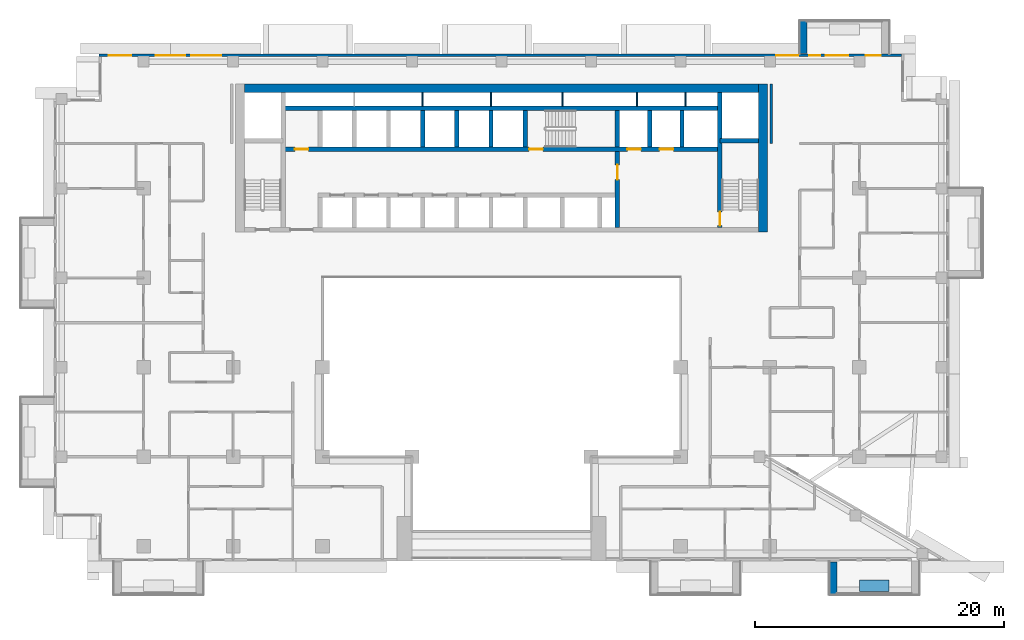
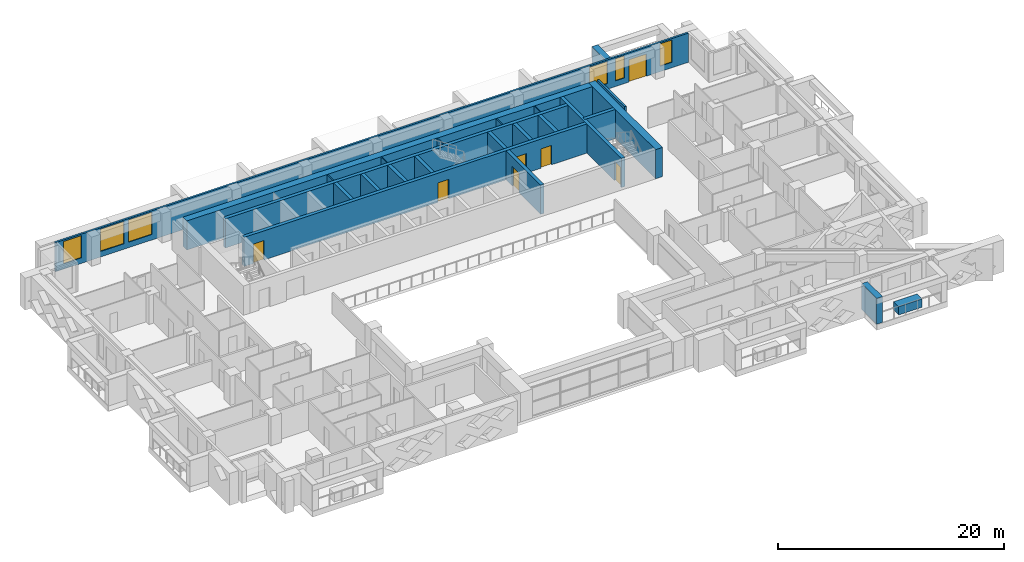
# One storey, part 10 of 19: 24 walls, 7 doors, 6 windows, 13 openings.
"""IFC4 building model written with IfcOpenShell, lengths in metres."""

from ifc_helpers import new_model, si_unit, direction, frame, frame_2d, origin, place, context, subcontext, project, spatial, rectangle, extrude, material, layer, layer_set, type_object, element, fill, save


model = new_model("IFC4")

# Units and contexts
model_context = context("Model", 3, precision=1e-05, world=origin(), true_north=direction((0.0, 1.0)))
body_context = subcontext(model_context, "Body", "Model", "MODEL_VIEW")
ifc_project = project(units=[si_unit("LENGTHUNIT", "METRE"), si_unit("AREAUNIT", "SQUARE_METRE"), si_unit("VOLUMEUNIT", "CUBIC_METRE"), si_unit("PLANEANGLEUNIT", "RADIAN"), si_unit("MASSUNIT", "GRAM", prefix="KILO")], contexts=[model_context])

# Site, building, storey
site_placement = place(None, origin())
site = spatial("IfcSite", under=ifc_project, at=site_placement, CompositionType="ELEMENT")
building_placement = place(site_placement, origin())
building = spatial("IfcBuilding", under=site, at=building_placement, Name="Saffron Iwan Residences", CompositionType="ELEMENT")
storey_placement = place(building_placement, frame((0.0, 0.0, 134.0)))
storey = spatial("IfcBuildingStorey", under=building, at=storey_placement, Name="L35", CompositionType="ELEMENT", Elevation=134.0)

# Walls
ifc_material_1 = material(Name="Concrete C50/60 white painted", Category="concrete")
ifc_layer_1 = layer(ifc_material_1, 0.60009765625)
ifc_layer_set_1 = layer_set([ifc_layer_1], Name="Concrete C50/60 white painted")
wall_type_1 = type_object("IfcWallType", Name="BALCONY FIN 600", PredefinedType="SOLIDWALL", material=ifc_layer_set_1)
for number, where, z_axis, x_axis, name in (
    (1, (74.699951171875, 80.449951171875, 0.0), (0.0, 0.0, 1.0), (0.0, 1.0, 0.0), "Balcony fin L35 F5-0b"),
    (2, (77.10009765625, 39.550048828125, 0.0), (0.0, 0.0, 1.0), (0.0, -1.0, 0.0), "Balcony fin L35 11-3a"),
):
    element("IfcWall", number, at=place(storey_placement, frame(where, z_axis=z_axis, x_axis=x_axis)), inside=storey, type_object=wall_type_1, Name=name, PredefinedType="SOLIDWALL", context=body_context, shape_type="SweptSolid", body=[
        extrude(rectangle(XDim=2.650146484375, YDim=0.60009765625, at=frame_2d((1.3251953125, 0.0))), origin(), (0.0, 0.0, 1.0), 2.800048828125),
    ])
ifc_material_2 = material(Name="Concrete C35/45 white painted", Category="concrete")
ifc_layer_2 = layer(ifc_material_2, 0.14990234375)
ifc_layer_set_2 = layer_set([ifc_layer_2], Name="Concrete C35/45 white painted")
wall_type_2 = type_object("IfcWallType", Name="BALCONY PLANTER", PredefinedType="SOLIDWALL", material=ifc_layer_set_2)
wall_1_placement = place(storey_placement, frame((79.199951171875, 37.625, 0.0), z_axis=(0.0, 0.0, 1.0), x_axis=(1.0, 0.0, 0.0)))
element("IfcWall", 3, at=wall_1_placement, inside=storey, type_object=wall_type_2, Name="PLANTER L35 11-3", PredefinedType="SOLIDWALL", context=body_context, shape_type="SweptSolid", body=[
    extrude(rectangle(XDim=2.400146484375, YDim=0.89990234375, at=frame_2d((1.2001953125, 0.0))), origin(), (0.0, 0.0, 1.0), 0.89990234375),
])

# Wall, openings, door, windows
ifc_material_3 = material(Name="Concrete C40/50", Category="concrete")
ifc_layer_3 = layer(ifc_material_3, 0.199951171875)
ifc_layer_set_3 = layer_set([ifc_layer_3], Name="Concrete C40/50")
wall_type_3 = type_object("IfcWallType", Name="EXTERNAL WALL 200", PredefinedType="SOLIDWALL", material=ifc_layer_set_3)
wall_2_placement = place(storey_placement, frame((82.60009765625, 80.300048828125, 0.0), z_axis=(0.0, 0.0, 1.0), x_axis=(-1.0, 0.0, 0.0)))
wall_2 = element("IfcWall", 4, at=wall_2_placement, inside=storey, type_object=wall_type_3, Name="External wall L35 F5.0", PredefinedType="SOLIDWALL", context=body_context, shape_type="SweptSolid", body=[
    extrude(rectangle(XDim=64.60009765625, YDim=0.199951171875, at=frame_2d((32.300048828125, 0.0))), origin(), (0.0, 0.0, 1.0), 3.14990234375),
])
opening_1_placement = place(wall_2_placement, frame((4.300048828125, 0.0, 0.0)))
opening_1 = element("IfcOpeningElement", 5, at=opening_1_placement, cuts=wall_2, Name="Opening BD1", PredefinedType="OPENING", context=body_context, shape_type="SweptSolid", body=[
    extrude(rectangle(XDim=1.800048828125, YDim=2.39990234375, at=frame_2d((0.89990234375, 1.199951171875))), frame((0.0, 0.10986328125, 0.0), z_axis=(0.0, -1.0, 0.0), x_axis=(1.0, 0.0, 0.0)), (0.0, 0.0, 1.0), 0.219970703125),
])
opening_2_placement = place(wall_2_placement, frame((54.7666015625, 0.0, 0.60009765625)))
opening_2 = element("IfcOpeningElement", 6, at=opening_2_placement, cuts=wall_2, Name="Opening W1", PredefinedType="OPENING", context=body_context, shape_type="SweptSolid", body=[
    extrude(rectangle(XDim=2.39990234375, YDim=2.39990234375, at=frame_2d((1.199951171875, 1.199951171875))), frame((0.0, 0.10986328125, 0.0), z_axis=(0.0, -1.0, 0.0), x_axis=(1.0, 0.0, 0.0)), (0.0, 0.0, 1.0), 0.219970703125),
])
opening_3_placement = place(wall_2_placement, frame((57.63330078125, 0.0, 0.60009765625)))
opening_3 = element("IfcOpeningElement", 7, at=opening_3_placement, cuts=wall_2, Name="Opening W1", PredefinedType="OPENING", context=body_context, shape_type="SweptSolid", body=[
    extrude(rectangle(XDim=2.39990234375, YDim=2.39990234375, at=frame_2d((1.199951171875, 1.199951171875))), frame((0.0, 0.10986328125, 0.0), z_axis=(0.0, -1.0, 0.0), x_axis=(1.0, 0.0, 0.0)), (0.0, 0.0, 1.0), 0.219970703125),
])
opening_4_placement = place(wall_2_placement, frame((62.0, 0.0, 0.60009765625)))
opening_4 = element("IfcOpeningElement", 8, at=opening_4_placement, cuts=wall_2, Name="Opening W8", PredefinedType="OPENING", context=body_context, shape_type="SweptSolid", body=[
    extrude(rectangle(XDim=1.800048828125, YDim=2.39990234375, at=frame_2d((0.89990234375, 1.199951171875))), frame((0.0, 0.10986328125, 0.0), z_axis=(0.0, -1.0, 0.0), x_axis=(1.0, 0.0, 0.0)), (0.0, 0.0, 1.0), 0.219970703125),
])
opening_5_placement = place(wall_2_placement, frame((1.699951171875, 0.0, 0.60009765625)))
opening_5 = element("IfcOpeningElement", 9, at=opening_5_placement, cuts=wall_2, Name="Opening W3", PredefinedType="OPENING", context=body_context, shape_type="SweptSolid", body=[
    extrude(rectangle(XDim=1.199951171875, YDim=2.39990234375, at=frame_2d((0.60009765625, 1.199951171875))), frame((0.0, 0.10986328125, 0.0), z_axis=(0.0, -1.0, 0.0), x_axis=(1.0, 0.0, 0.0)), (0.0, 0.0, 1.0), 0.219970703125),
])
opening_6_placement = place(wall_2_placement, frame((6.550048828125, 0.0, 0.60009765625)))
opening_6 = element("IfcOpeningElement", 10, at=opening_6_placement, cuts=wall_2, Name="Opening W10", PredefinedType="OPENING", context=body_context, shape_type="SweptSolid", body=[
    extrude(rectangle(XDim=0.89990234375, YDim=2.39990234375, at=frame_2d((0.449951171875, 1.199951171875))), frame((0.0, 0.10986328125, 0.0), z_axis=(0.0, -1.0, 0.0), x_axis=(1.0, 0.0, 0.0)), (0.0, 0.0, 1.0), 0.219970703125),
])
opening_7_placement = place(wall_2_placement, frame((8.300048828125, 0.0, 0.60009765625)))
opening_7 = element("IfcOpeningElement", 11, at=opening_7_placement, cuts=wall_2, Name="Opening W8", PredefinedType="OPENING", context=body_context, shape_type="SweptSolid", body=[
    extrude(rectangle(XDim=1.800048828125, YDim=2.39990234375, at=frame_2d((0.89990234375, 1.199951171875))), frame((0.0, 0.10986328125, 0.0), z_axis=(0.0, -1.0, 0.0), x_axis=(1.0, 0.0, 0.0)), (0.0, 0.0, 1.0), 0.219970703125),
])
ifc_material_4 = material(Name="Clear glass, laminated double glazed", Category="glass")
door_type_1 = type_object("IfcDoorType", Name="BALCONY DOOR 1800 x 2400", OperationType="DOUBLE_DOOR_SLIDING", PredefinedType="DOOR", material=ifc_material_4)
door_1_placement = place(opening_1_placement, origin())
door_1 = element("IfcDoor", 12, at=door_1_placement, inside=storey, type_object=door_type_1, Name="Balcony door L35 F5.0", OperationType="DOUBLE_DOOR_SLIDING", OverallHeight=2.39990234375, OverallWidth=1.800048828125, PredefinedType="DOOR", context=body_context, shape_type="SweptSolid", body=[
    extrude(rectangle(XDim=1.800048828125, YDim=2.39990234375, at=frame_2d((0.89990234375, 1.199951171875))), frame((0.0, 0.02490234375, 0.0), z_axis=(0.0, -1.0, 0.0), x_axis=(1.0, 0.0, 0.0)), (0.0, 0.0, 1.0), 0.050048828125),
])
fill(opening_1, door_1)
window_type_1 = type_object("IfcWindowType", Name="WINDOW 1200 x 2400", PartitioningType="SINGLE_PANEL", PredefinedType="WINDOW", material=ifc_material_4)
window_1_placement = place(opening_5_placement, origin())
window_1 = element("IfcWindow", 13, at=window_1_placement, inside=storey, type_object=window_type_1, Name="Window L35 F5.4", OverallHeight=2.39990234375, OverallWidth=1.199951171875, PartitioningType="SINGLE_PANEL", PredefinedType="WINDOW", context=body_context, shape_type="SweptSolid", body=[
    extrude(rectangle(XDim=1.199951171875, YDim=2.39990234375, at=frame_2d((0.60009765625, 1.199951171875))), frame((0.0, 0.030029296875, 0.0), z_axis=(0.0, -1.0, 0.0), x_axis=(1.0, 0.0, 0.0)), (0.0, 0.0, 1.0), 0.06005859375),
])
fill(opening_5, window_1)
window_type_2 = type_object("IfcWindowType", Name="WINDOW 1800 x 2400", PartitioningType="DOUBLE_PANEL_VERTICAL", PredefinedType="WINDOW", material=ifc_material_4)
window_2_placement = place(opening_4_placement, origin())
window_2 = element("IfcWindow", 14, at=window_2_placement, inside=storey, type_object=window_type_2, Name="Window L35 F5.3", OverallHeight=2.39990234375, OverallWidth=1.800048828125, PartitioningType="DOUBLE_PANEL_VERTICAL", PredefinedType="WINDOW", context=body_context, shape_type="SweptSolid", body=[
    extrude(rectangle(XDim=1.800048828125, YDim=2.39990234375, at=frame_2d((0.89990234375, 1.199951171875))), frame((0.0, 0.030029296875, 0.0), z_axis=(0.0, -1.0, 0.0), x_axis=(1.0, 0.0, 0.0)), (0.0, 0.0, 1.0), 0.06005859375),
])
fill(opening_4, window_2)
window_3_placement = place(opening_7_placement, origin())
window_3 = element("IfcWindow", 15, at=window_3_placement, inside=storey, type_object=window_type_2, Name="Window L35 F5.6", OverallHeight=2.39990234375, OverallWidth=1.800048828125, PartitioningType="DOUBLE_PANEL_VERTICAL", PredefinedType="WINDOW", context=body_context, shape_type="SweptSolid", body=[
    extrude(rectangle(XDim=1.800048828125, YDim=2.39990234375, at=frame_2d((0.89990234375, 1.199951171875))), frame((0.0, 0.030029296875, 0.0), z_axis=(0.0, -1.0, 0.0), x_axis=(1.0, 0.0, 0.0)), (0.0, 0.0, 1.0), 0.06005859375),
])
fill(opening_7, window_3)
window_type_3 = type_object("IfcWindowType", Name="WINDOW 2400 x 2400", PartitioningType="DOUBLE_PANEL_VERTICAL", PredefinedType="WINDOW", material=ifc_material_4)
window_4_placement = place(opening_2_placement, origin())
window_4 = element("IfcWindow", 16, at=window_4_placement, inside=storey, type_object=window_type_3, Name="Window L35 F5.1", OverallHeight=2.39990234375, OverallWidth=2.39990234375, PartitioningType="DOUBLE_PANEL_VERTICAL", PredefinedType="WINDOW", context=body_context, shape_type="SweptSolid", body=[
    extrude(rectangle(XDim=2.39990234375, YDim=2.39990234375, at=frame_2d((1.199951171875, 1.199951171875))), frame((0.0, 0.030029296875, 0.0), z_axis=(0.0, -1.0, 0.0), x_axis=(1.0, 0.0, 0.0)), (0.0, 0.0, 1.0), 0.06005859375),
])
fill(opening_2, window_4)
window_5_placement = place(opening_3_placement, origin())
window_5 = element("IfcWindow", 17, at=window_5_placement, inside=storey, type_object=window_type_3, Name="Window L35 F5.2", OverallHeight=2.39990234375, OverallWidth=2.39990234375, PartitioningType="DOUBLE_PANEL_VERTICAL", PredefinedType="WINDOW", context=body_context, shape_type="SweptSolid", body=[
    extrude(rectangle(XDim=2.39990234375, YDim=2.39990234375, at=frame_2d((1.199951171875, 1.199951171875))), frame((0.0, 0.030029296875, 0.0), z_axis=(0.0, -1.0, 0.0), x_axis=(1.0, 0.0, 0.0)), (0.0, 0.0, 1.0), 0.06005859375),
])
fill(opening_3, window_5)
window_type_4 = type_object("IfcWindowType", Name="WINDOW 900 x 2400", PartitioningType="SINGLE_PANEL", PredefinedType="WINDOW", material=ifc_material_4)
window_6_placement = place(opening_6_placement, origin())
window_6 = element("IfcWindow", 18, at=window_6_placement, inside=storey, type_object=window_type_4, Name="Window L35 F5.5", OverallHeight=2.39990234375, OverallWidth=0.89990234375, PartitioningType="SINGLE_PANEL", PredefinedType="WINDOW", context=body_context, shape_type="SweptSolid", body=[
    extrude(rectangle(XDim=0.89990234375, YDim=2.39990234375, at=frame_2d((0.449951171875, 1.199951171875))), frame((0.0, 0.030029296875, 0.0), z_axis=(0.0, -1.0, 0.0), x_axis=(1.0, 0.0, 0.0)), (0.0, 0.0, 1.0), 0.06005859375),
])
fill(opening_6, window_6)

# Walls
ifc_material_5 = material(Name="Fire-rated gypsum board wall")
ifc_layer_4 = layer(ifc_material_5, 0.199951171875)
ifc_layer_set_4 = layer_set([ifc_layer_4], Name="Fire-rated gypsum board wall")
wall_type_4 = type_object("IfcWallType", Name="Gallery wall 200", PredefinedType="SOLIDWALL", material=ifc_layer_set_4)
wall_3_placement = place(storey_placement, frame((72.10009765625, 73.199951171875, 0.0), z_axis=(0.0, 0.0, 1.0), x_axis=(0.0, 1.0, 0.0)))
element("IfcWall", 19, at=wall_3_placement, inside=storey, type_object=wall_type_4, Name="W-L35-CORR-v72-73.2", PredefinedType="SOLIDWALL", context=body_context, shape_type="SweptSolid", body=[
    extrude(rectangle(XDim=4.800048828125, YDim=0.199951171875, at=frame_2d((2.39990234375, 0.0))), origin(), (0.0, 0.0, 1.0), 3.14990234375),
])
ifc_material_6 = material(Name="Fire-rated plasterboard partition")
ifc_layer_5 = layer(ifc_material_6, 0.10009765625)
ifc_layer_set_5 = layer_set([ifc_layer_5], Name="Fire-rated plasterboard partition")
wall_type_5 = type_object("IfcWallType", Name="Riser partition 100", PredefinedType="PARTITIONING", material=ifc_layer_set_5)
for number, where, z_axis, x_axis, name in (
    (20, (44.050048828125, 76.22509765625, 0.0), (0.0, 0.0, 1.0), (0.0, 1.0, 0.0), "Core partition P02"),
    (21, (49.550048828125, 76.22509765625, 0.0), (0.0, 0.0, 1.0), (0.0, 1.0, 0.0), "Core partition P03"),
    (22, (55.300048828125, 76.22509765625, 0.0), (0.0, 0.0, 1.0), (0.0, 1.0, 0.0), "Core partition P04"),
    (23, (61.300048828125, 76.22509765625, 0.0), (0.0, 0.0, 1.0), (0.0, 1.0, 0.0), "Core partition P05"),
    (24, (65.199951171875, 76.22509765625, 0.0), (0.0, 0.0, 1.0), (0.0, 1.0, 0.0), "Core partition P06"),
):
    element("IfcWall", number, at=place(storey_placement, frame(where, z_axis=z_axis, x_axis=x_axis)), inside=storey, type_object=wall_type_5, Name=name, PredefinedType="PARTITIONING", context=body_context, shape_type="SweptSolid", body=[
        extrude(rectangle(XDim=1.074951171875, YDim=0.10009765625, at=frame_2d((0.53759765625, 0.0))), origin(), (0.0, 0.0, 1.0), 3.14990234375),
    ])

# Wall, openings, doors
ifc_material_7 = material(Name="Concrete C50/60", Category="concrete")
ifc_layer_6 = layer(ifc_material_7, 0.35009765625)
ifc_layer_set_6 = layer_set([ifc_layer_6], Name="Concrete C50/60")
wall_type_6 = type_object("IfcWallType", Name="WALL CORE 350 C50/60 3150 HIGH", PredefinedType="SHEAR", material=ifc_layer_set_6)
wall_4_placement = place(storey_placement, frame((32.824951171875, 72.75, 0.0), z_axis=(0.0, 0.0, 1.0), x_axis=(1.0, 0.0, 0.0)))
wall_4 = element("IfcWall", 25, at=wall_4_placement, inside=storey, type_object=wall_type_6, Name="Core wall", PredefinedType="SHEAR", context=body_context, shape_type="SweptSolid", body=[
    extrude(rectangle(XDim=35.150146484375, YDim=0.35009765625, at=frame_2d((17.5751953125, 0.0))), origin(), (0.0, 0.0, 1.0), 3.14990234375),
])
opening_8_placement = place(wall_4_placement, frame((19.800048828125, 0.0, 0.0)))
opening_8 = element("IfcOpeningElement", 26, at=opening_8_placement, cuts=wall_4, Name="Opening SD", PredefinedType="OPENING", context=body_context, shape_type="SweptSolid", body=[
    extrude(rectangle(XDim=1.10009765625, YDim=2.10009765625, at=frame_2d((0.550048828125, 1.050048828125))), frame((0.0, 0.18505859375, 0.0), z_axis=(0.0, -1.0, 0.0), x_axis=(1.0, 0.0, 0.0)), (0.0, 0.0, 1.0), 0.3701171875),
])
opening_9_placement = place(wall_4_placement, frame((27.699951171875, 0.0, 0.0)))
opening_9 = element("IfcOpeningElement", 27, at=opening_9_placement, cuts=wall_4, Name="Opening LD", PredefinedType="OPENING", context=body_context, shape_type="SweptSolid", body=[
    extrude(rectangle(XDim=1.10009765625, YDim=2.10009765625, at=frame_2d((0.550048828125, 1.050048828125))), frame((0.0, 0.18505859375, 0.0), z_axis=(0.0, -1.0, 0.0), x_axis=(1.0, 0.0, 0.0)), (0.0, 0.0, 1.0), 0.3701171875),
])
opening_10_placement = place(wall_4_placement, frame((30.300048828125, 0.0, 0.0)))
opening_10 = element("IfcOpeningElement", 28, at=opening_10_placement, cuts=wall_4, Name="Opening LD", PredefinedType="OPENING", context=body_context, shape_type="SweptSolid", body=[
    extrude(rectangle(XDim=1.10009765625, YDim=2.10009765625, at=frame_2d((0.550048828125, 1.050048828125))), frame((0.0, 0.18505859375, 0.0), z_axis=(0.0, -1.0, 0.0), x_axis=(1.0, 0.0, 0.0)), (0.0, 0.0, 1.0), 0.3701171875),
])
opening_11_placement = place(wall_4_placement, frame((0.9375, 0.0, 0.0)))
opening_11 = element("IfcOpeningElement", 29, at=opening_11_placement, cuts=wall_4, Name="Opening SR", PredefinedType="OPENING", context=body_context, shape_type="SweptSolid", body=[
    extrude(rectangle(XDim=1.10009765625, YDim=2.10009765625, at=frame_2d((0.550048828125, 1.050048828125))), frame((0.0, 0.18505859375, 0.0), z_axis=(0.0, -1.0, 0.0), x_axis=(1.0, 0.0, 0.0)), (0.0, 0.0, 1.0), 0.3701171875),
])
ifc_material_8 = material(Name="Steel fire door", Category="steel")
door_type_2 = type_object("IfcDoorType", Name="Lift landing door 1100", OperationType="SLIDING_TO_LEFT", PredefinedType="DOOR", material=ifc_material_8)
door_2_placement = place(opening_9_placement, origin())
door_2 = element("IfcDoor", 30, at=door_2_placement, inside=storey, type_object=door_type_2, Name="Landing doors FF1", OperationType="SLIDING_TO_LEFT", OverallHeight=2.10009765625, OverallWidth=1.10009765625, PredefinedType="DOOR", context=body_context, shape_type="SweptSolid", body=[
    extrude(rectangle(XDim=1.10009765625, YDim=2.10009765625, at=frame_2d((0.550048828125, 1.050048828125))), frame((0.0, 0.02490234375, 0.0), z_axis=(0.0, -1.0, 0.0), x_axis=(1.0, 0.0, 0.0)), (0.0, 0.0, 1.0), 0.050048828125),
])
fill(opening_9, door_2)
door_3_placement = place(opening_10_placement, origin())
door_3 = element("IfcDoor", 31, at=door_3_placement, inside=storey, type_object=door_type_2, Name="Landing doors FF2", OperationType="SLIDING_TO_LEFT", OverallHeight=2.10009765625, OverallWidth=1.10009765625, PredefinedType="DOOR", context=body_context, shape_type="SweptSolid", body=[
    extrude(rectangle(XDim=1.10009765625, YDim=2.10009765625, at=frame_2d((0.550048828125, 1.050048828125))), frame((0.0, 0.02490234375, 0.0), z_axis=(0.0, -1.0, 0.0), x_axis=(1.0, 0.0, 0.0)), (0.0, 0.0, 1.0), 0.050048828125),
])
fill(opening_10, door_3)
door_type_3 = type_object("IfcDoorType", Name="Service door 1100", OperationType="NOTDEFINED", PredefinedType="DOOR", material=ifc_material_8)
door_4_placement = place(opening_11_placement, origin())
door_4 = element("IfcDoor", 32, at=door_4_placement, inside=storey, type_object=door_type_3, Name="Door Caretaker's room", OperationType="SINGLE_SWING_LEFT", OverallHeight=2.10009765625, OverallWidth=1.10009765625, PredefinedType="DOOR", context=body_context, shape_type="SweptSolid", body=[
    extrude(rectangle(XDim=1.10009765625, YDim=2.10009765625, at=frame_2d((0.550048828125, 1.050048828125))), frame((0.0, 0.02490234375, 0.0), z_axis=(0.0, -1.0, 0.0), x_axis=(1.0, 0.0, 0.0)), (0.0, 0.0, 1.0), 0.050048828125),
])
fill(opening_11, door_4)
door_type_4 = type_object("IfcDoorType", Name="Stair door 1100", OperationType="NOTDEFINED", PredefinedType="DOOR", material=ifc_material_8)
door_5_placement = place(opening_8_placement, origin())
door_5 = element("IfcDoor", 33, at=door_5_placement, inside=storey, type_object=door_type_4, Name="Stair door ST-C", OperationType="SINGLE_SWING_LEFT", OverallHeight=2.10009765625, OverallWidth=1.10009765625, PredefinedType="DOOR", context=body_context, shape_type="SweptSolid", body=[
    extrude(rectangle(XDim=1.10009765625, YDim=2.10009765625, at=frame_2d((0.550048828125, 1.050048828125))), frame((0.0, 0.02490234375, 0.0), z_axis=(0.0, -1.0, 0.0), x_axis=(1.0, 0.0, 0.0)), (0.0, 0.0, 1.0), 0.050048828125),
])
fill(opening_8, door_5)

# Walls
wall_5_placement = place(storey_placement, frame((32.824951171875, 76.050048828125, 0.0), z_axis=(0.0, 0.0, 1.0), x_axis=(1.0, 0.0, 0.0)))
element("IfcWall", 34, at=wall_5_placement, inside=storey, type_object=wall_type_6, Name="Core wall", PredefinedType="SHEAR", context=body_context, shape_type="SweptSolid", body=[
    extrude(rectangle(XDim=35.150146484375, YDim=0.35009765625, at=frame_2d((17.5751953125, 0.0))), origin(), (0.0, 0.0, 1.0), 3.14990234375),
])
wall_6_placement = place(storey_placement, frame((67.97509765625, 73.425048828125, 0.0), z_axis=(0.0, 0.0, 1.0), x_axis=(1.0, 0.0, 0.0)))
element("IfcWall", 35, at=wall_6_placement, inside=storey, type_object=wall_type_6, Name="Core wall", PredefinedType="SHEAR", context=body_context, shape_type="SweptSolid", body=[
    extrude(rectangle(XDim=3.125, YDim=0.35009765625, at=frame_2d((1.5625, 0.0))), origin(), (0.0, 0.0, 1.0), 3.14990234375),
])

# Wall, opening, door
wall_7_placement = place(storey_placement, frame((67.97509765625, 66.449951171875, 0.0), z_axis=(0.0, 0.0, 1.0), x_axis=(0.0, 1.0, 0.0)))
wall_7 = element("IfcWall", 36, at=wall_7_placement, inside=storey, type_object=wall_type_6, Name="Core wall", PredefinedType="SHEAR", context=body_context, shape_type="SweptSolid", body=[
    extrude(rectangle(XDim=10.85009765625, YDim=0.35009765625, at=frame_2d((5.425048828125, 0.0))), origin(), (0.0, 0.0, 1.0), 3.14990234375),
])
opening_12_placement = place(wall_7_placement, frame((0.14990234375, 0.0, 0.0)))
opening_12 = element("IfcOpeningElement", 37, at=opening_12_placement, cuts=wall_7, Name="Opening SD", PredefinedType="OPENING", context=body_context, shape_type="SweptSolid", body=[
    extrude(rectangle(XDim=1.10009765625, YDim=2.10009765625, at=frame_2d((0.550048828125, 1.050048828125))), frame((0.0, 0.18505859375, 0.0), z_axis=(0.0, -1.0, 0.0), x_axis=(1.0, 0.0, 0.0)), (0.0, 0.0, 1.0), 0.3701171875),
])
door_6_placement = place(opening_12_placement, origin())
door_6 = element("IfcDoor", 38, at=door_6_placement, inside=storey, type_object=door_type_4, Name="Stair door ST-E", OperationType="SINGLE_SWING_LEFT", OverallHeight=2.10009765625, OverallWidth=1.10009765625, PredefinedType="DOOR", context=body_context, shape_type="SweptSolid", body=[
    extrude(rectangle(XDim=1.10009765625, YDim=2.10009765625, at=frame_2d((0.550048828125, 1.050048828125))), frame((0.0, 0.02490234375, 0.0), z_axis=(0.0, -1.0, 0.0), x_axis=(1.0, 0.0, 0.0)), (0.0, 0.0, 1.0), 0.050048828125),
])
fill(opening_12, door_6)

wall_8_placement = place(storey_placement, frame((59.72509765625, 66.449951171875, 0.0), z_axis=(0.0, 0.0, 1.0), x_axis=(0.0, 1.0, 0.0)))
wall_8 = element("IfcWall", 39, at=wall_8_placement, inside=storey, type_object=wall_type_6, Name="Core wall", PredefinedType="SHEAR", context=body_context, shape_type="SweptSolid", body=[
    extrude(rectangle(XDim=6.125, YDim=0.35009765625, at=frame_2d((3.0625, 0.0))), origin(), (0.0, 0.0, 1.0), 3.14990234375),
])
opening_13_placement = place(wall_8_placement, frame((3.85009765625, 0.0, 0.0)))
opening_13 = element("IfcOpeningElement", 40, at=opening_13_placement, cuts=wall_8, Name="Opening FD", PredefinedType="OPENING", context=body_context, shape_type="SweptSolid", body=[
    extrude(rectangle(XDim=1.199951171875, YDim=2.10009765625, at=frame_2d((0.60009765625, 1.050048828125))), frame((0.0, 0.18505859375, 0.0), z_axis=(0.0, -1.0, 0.0), x_axis=(1.0, 0.0, 0.0)), (0.0, 0.0, 1.0), 0.3701171875),
])
door_type_5 = type_object("IfcDoorType", Name="Firefighting lobby door 1200", OperationType="NOTDEFINED", PredefinedType="DOOR", material=ifc_material_8)
door_7_placement = place(opening_13_placement, origin())
door_7 = element("IfcDoor", 41, at=door_7_placement, inside=storey, type_object=door_type_5, Name="Firefighting lobby door", OperationType="SINGLE_SWING_LEFT", OverallHeight=2.10009765625, OverallWidth=1.199951171875, PredefinedType="DOOR", context=body_context, shape_type="SweptSolid", body=[
    extrude(rectangle(XDim=1.199951171875, YDim=2.10009765625, at=frame_2d((0.60009765625, 1.050048828125))), frame((0.0, 0.02490234375, 0.0), z_axis=(0.0, -1.0, 0.0), x_axis=(1.0, 0.0, 0.0)), (0.0, 0.0, 1.0), 0.050048828125),
])
fill(opening_13, door_7)

# Walls
for number, where, z_axis, x_axis, name in (
    (42, (59.72509765625, 72.925048828125, 0.0), (0.0, 0.0, 1.0), (0.0, 1.0, 0.0), "Core wall"),
    (43, (44.050048828125, 72.925048828125, 0.0), (0.0, 0.0, 1.0), (0.0, 1.0, 0.0), "Core wall"),
    (44, (46.800048828125, 72.925048828125, 0.0), (0.0, 0.0, 1.0), (0.0, 1.0, 0.0), "Core wall"),
    (45, (49.550048828125, 72.925048828125, 0.0), (0.0, 0.0, 1.0), (0.0, 1.0, 0.0), "Core wall"),
    (46, (52.300048828125, 72.925048828125, 0.0), (0.0, 0.0, 1.0), (0.0, 1.0, 0.0), "Core wall"),
    (47, (62.324951171875, 72.925048828125, 0.0), (0.0, 0.0, 1.0), (0.0, 1.0, 0.0), "Core wall"),
    (48, (64.925048828125, 72.925048828125, 0.0), (0.0, 0.0, 1.0), (0.0, 1.0, 0.0), "Core wall"),
):
    element("IfcWall", number, at=place(storey_placement, frame(where, z_axis=z_axis, x_axis=x_axis)), inside=storey, type_object=wall_type_6, Name=name, PredefinedType="SHEAR", context=body_context, shape_type="SweptSolid", body=[
        extrude(rectangle(XDim=2.949951171875, YDim=0.35009765625, at=frame_2d((1.47509765625, 0.0))), origin(), (0.0, 0.0, 1.0), 3.14990234375),
    ])
ifc_layer_7 = layer(ifc_material_7, 0.699951171875)
ifc_layer_set_7 = layer_set([ifc_layer_7], Name="Concrete C50/60")
wall_type_7 = type_object("IfcWallType", Name="WALL CORE 700 C50/60 3150 HIGH", PredefinedType="SHEAR", material=ifc_layer_set_7)
wall_9_placement = place(storey_placement, frame((71.449951171875, 66.10009765625, 0.0), z_axis=(0.0, 0.0, 1.0), x_axis=(0.0, 1.0, 0.0)))
element("IfcWall", 49, at=wall_9_placement, inside=storey, type_object=wall_type_7, Name="Core wall", PredefinedType="SHEAR", context=body_context, shape_type="SweptSolid", body=[
    extrude(rectangle(XDim=11.89990234375, YDim=0.699951171875, at=frame_2d((5.949951171875, 0.0))), origin(), (0.0, 0.0, 1.0), 3.14990234375),
])
wall_10_placement = place(storey_placement, frame((29.699951171875, 77.64990234375, 0.0), z_axis=(0.0, 0.0, 1.0), x_axis=(1.0, 0.0, 0.0)))
element("IfcWall", 50, at=wall_10_placement, inside=storey, type_object=wall_type_7, Name="Core wall", PredefinedType="SHEAR", context=body_context, shape_type="SweptSolid", body=[
    extrude(rectangle(XDim=41.400146484375, YDim=0.699951171875, at=frame_2d((20.7001953125, 0.0))), origin(), (0.0, 0.0, 1.0), 3.14990234375),
])

save(model, "model.ifc")
